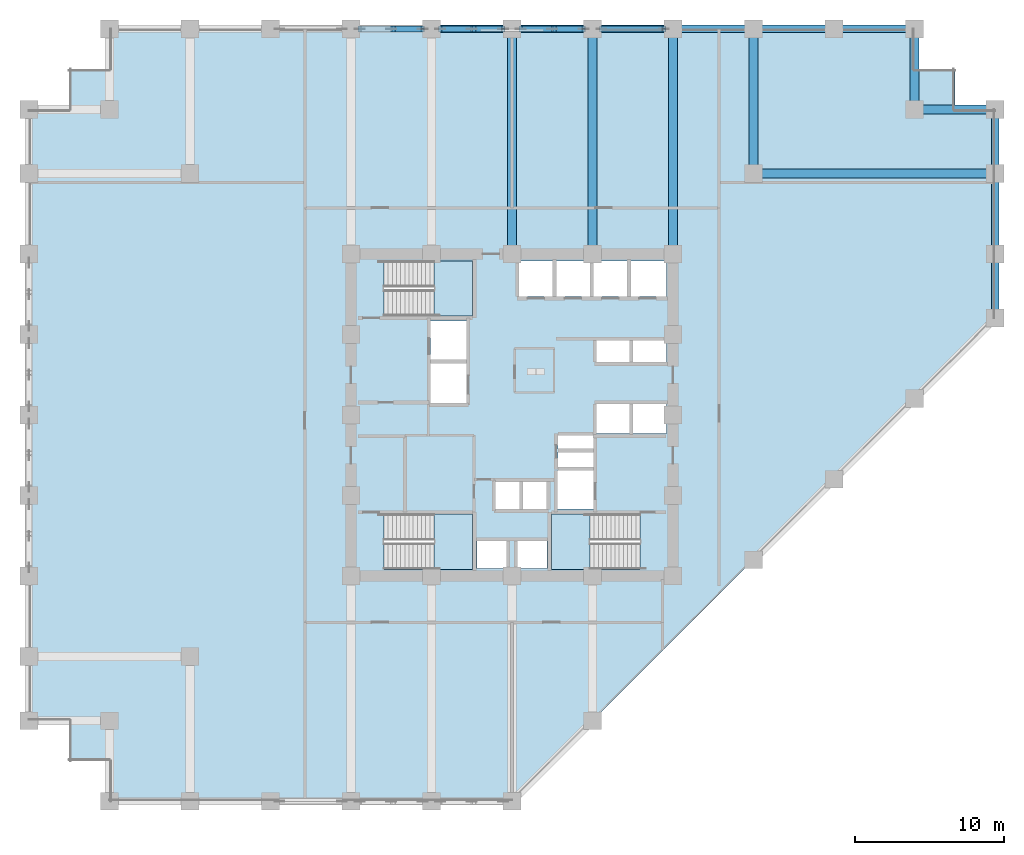
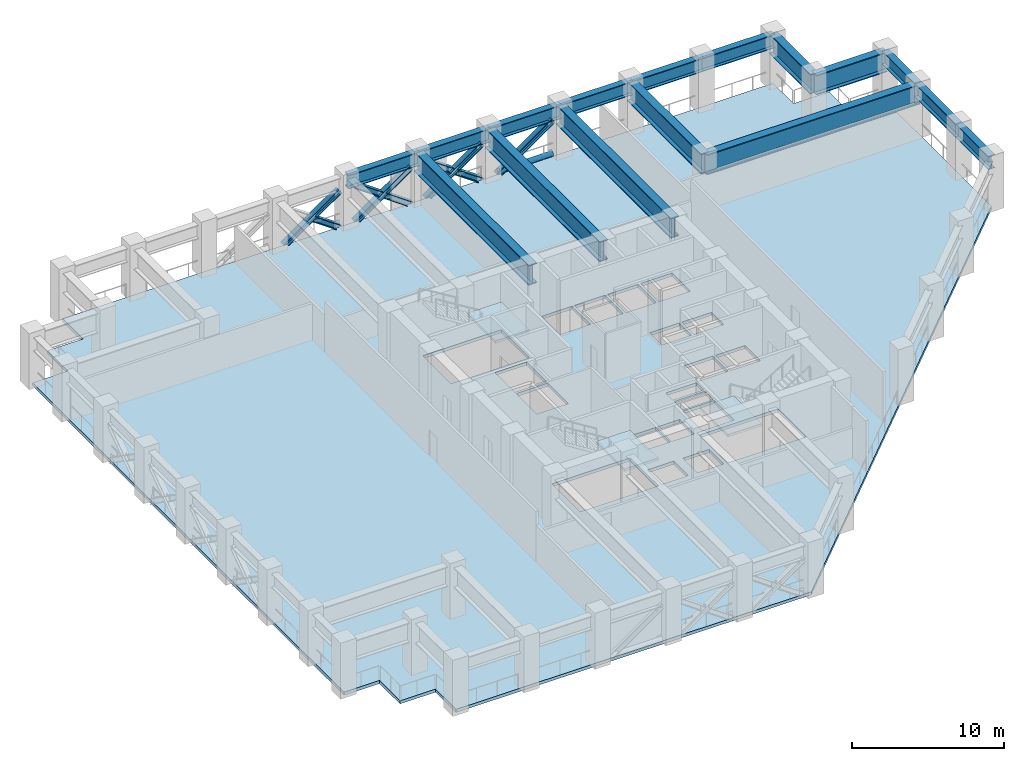
# One storey, part 2 of 12: 16 beams, 10 members, 4 slabs, 3 elements without a shape of their own.
"""IFC4 building model written with IfcOpenShell, lengths in metres."""

import ifcopenshell
import ifcopenshell.guid

model = None  # the IFC model being written
_history = None  # IfcOwnerHistory: only IFC2X3 demands one
_inside = {}  # id of a spatial element -> (the spatial element, [elements in it])
_under = {}  # id of a project, library or spatial element -> (it, [spatial elements below it])
_declared = {}  # id of a project -> (the project, [libraries it declares])
_typed = {}  # id of a type object -> (the type object, [elements of that type])
_made_of = {}  # id of a material, layer set ... -> (it, [elements and type objects made of it])


def new_model(schema):
    """Start an empty IFC model of exactly this schema.

    Asked for "IFC4X3", IfcOpenShell would pick the latest addendum, in which some entities
    have other attributes; the version numbers below select the first issue.
    IFC2X3 requires an IfcOwnerHistory on every rooted entity: one is made here for all.
    """
    global model, _history
    if schema == "IFC4X3":
        model = ifcopenshell.file(schema_version=(4, 3, 0, 0))
    else:
        model = ifcopenshell.file(schema=schema)
    _inside.clear()
    _under.clear()
    _declared.clear()
    _typed.clear()
    _made_of.clear()
    _history = None
    if model.schema == "IFC2X3":
        org = make("IfcOrganization", Name="unknown")
        user = make(
            "IfcPersonAndOrganization",
            ThePerson=make("IfcPerson", FamilyName="unknown"),
            TheOrganization=org,
        )
        app = make(
            "IfcApplication",
            ApplicationDeveloper=org,
            Version="unknown",
            ApplicationFullName="unknown",
            ApplicationIdentifier="unknown",
        )
        _history = make(
            "IfcOwnerHistory",
            OwningUser=user,
            OwningApplication=app,
            ChangeAction="ADDED",
            CreationDate=0,
        )
    return model


def make(cls, **values):
    """One entity of the class cls with the attributes given. An attribute that is None is left unset."""
    return model.create_entity(
        cls, **{name: value for name, value in values.items() if value is not None}
    )


def rooted(cls, **values):
    """An entity with a GlobalId (a new one), such as an element, a storey or a relation."""
    return make(cls, GlobalId=ifcopenshell.guid.new(), OwnerHistory=_history, **values)


def si_unit(unit_type, name, prefix=None):
    """IfcSIUnit, for example si_unit("LENGTHUNIT", "METRE", prefix="MILLI")."""
    return make("IfcSIUnit", UnitType=unit_type, Prefix=prefix, Name=name)


def assignment(units):
    """IfcUnitAssignment: the units of a project."""
    return None if units is None else make("IfcUnitAssignment", Units=units)


def point(xyz):
    """IfcCartesianPoint."""
    return None if xyz is None else make("IfcCartesianPoint", Coordinates=xyz)


def direction(xyz):
    """IfcDirection."""
    return None if xyz is None else make("IfcDirection", DirectionRatios=xyz)


def frame(location, z_axis=None, x_axis=None):
    """IfcAxis2Placement3D, a coordinate frame: its origin and axes. An axis left out is left unset."""
    return make(
        "IfcAxis2Placement3D",
        Location=point(location),
        Axis=direction(z_axis),
        RefDirection=direction(x_axis),
    )


def frame_2d(location, x_axis=None):
    """IfcAxis2Placement2D, a coordinate frame in the plane: its origin and x axis."""
    return make(
        "IfcAxis2Placement2D", Location=point(location), RefDirection=direction(x_axis)
    )


def origin():
    """The frame at (0, 0, 0) with its axes left unset."""
    return frame((0.0, 0.0, 0.0))


def origin_2d():
    """The frame at (0, 0) in the plane with its x axis left unset."""
    return frame_2d((0.0, 0.0))


def place(relative_to, where):
    """IfcLocalPlacement: puts the frame where relative to a parent placement (None: the world)."""
    return make(
        "IfcLocalPlacement", PlacementRelTo=relative_to, RelativePlacement=where
    )


def context(
    kind, dimensions, precision=None, world=None, true_north=None, identifier=None
):
    """IfcGeometricRepresentationContext, for example the 3D "Model" context."""
    return make(
        "IfcGeometricRepresentationContext",
        ContextIdentifier=identifier,
        ContextType=kind,
        CoordinateSpaceDimension=dimensions,
        Precision=precision,
        WorldCoordinateSystem=world,
        TrueNorth=true_north,
    )


def subcontext(parent, identifier, kind, view, scale=None):
    """IfcGeometricRepresentationSubContext, for example "Body" below "Model"."""
    return make(
        "IfcGeometricRepresentationSubContext",
        ContextIdentifier=identifier,
        ContextType=kind,
        ParentContext=parent,
        TargetScale=scale,
        TargetView=view,
    )


def project(units=None, contexts=None):
    """IfcProject with its units and contexts."""
    return rooted(
        "IfcProject",
        Name="project",
        RepresentationContexts=contexts,
        UnitsInContext=assignment(units),
    )


def spatial(cls, under=None, at=None, **own):
    """A site, building, storey or space (cls), placed at a placement, below another one or the project."""
    s = rooted(cls, ObjectPlacement=at, **own)
    if under is not None:
        _under.setdefault(under.id(), (under, []))[1].append(s)
    return s


def polyline(points):
    """IfcPolyline through the points."""
    return make("IfcPolyline", Points=[point(p) for p in points])


def profile(cls, at=None, kind="AREA", **sizes):
    """A parametric profile (cls). Its sizes go by their IFC names, for example OverallWidth=200.0."""
    return make(cls, ProfileType=kind, Position=at, **sizes)


def hollow_circle(**sizes):
    """IfcCircleHollowProfileDef."""
    return profile("IfcCircleHollowProfileDef", **sizes)


def i_section(**sizes):
    """IfcIShapeProfileDef."""
    return profile("IfcIShapeProfileDef", **sizes)


def outline(outer, holes=None, kind="AREA"):
    """IfcArbitraryClosedProfileDef: a profile drawn as a closed curve; with holes, ...WithVoids."""
    if holes is None:
        return make("IfcArbitraryClosedProfileDef", ProfileType=kind, OuterCurve=outer)
    return make(
        "IfcArbitraryProfileDefWithVoids",
        ProfileType=kind,
        OuterCurve=outer,
        InnerCurves=holes,
    )


def extrude(swept, where, along, depth):
    """IfcExtrudedAreaSolid: the profile swept, set in the frame where, extruded along a direction by depth."""
    return make(
        "IfcExtrudedAreaSolid",
        SweptArea=swept,
        Position=where,
        ExtrudedDirection=direction(along),
        Depth=depth,
    )


def shape(context_of_items, identifier, shape_type, items):
    """IfcShapeRepresentation: the items that make up one representation, for example the "Body"."""
    return make(
        "IfcShapeRepresentation",
        ContextOfItems=context_of_items,
        RepresentationIdentifier=identifier,
        RepresentationType=shape_type,
        Items=items,
    )


def material(Name=None, Category=None):
    """IfcMaterial."""
    return make("IfcMaterial", Name=Name, Category=Category)


def layer(
    of_material, thickness, ventilated=None, Name=None, Category=None, Priority=None
):
    """IfcMaterialLayer: one layer of a wall or slab, of a material (None: an air gap)."""
    return make(
        "IfcMaterialLayer",
        Material=of_material,
        LayerThickness=thickness,
        IsVentilated=ventilated,
        Name=Name,
        Category=Category,
        Priority=Priority,
    )


def layer_set(layers, Name=None):
    """IfcMaterialLayerSet."""
    return make("IfcMaterialLayerSet", MaterialLayers=layers, LayerSetName=Name)


def material_profile(
    of_material, cross_section, Name=None, Category=None, Priority=None
):
    """IfcMaterialProfile: a cross section and its material."""
    return make(
        "IfcMaterialProfile",
        Name=Name,
        Material=of_material,
        Profile=cross_section,
        Priority=Priority,
        Category=Category,
    )


def profile_set(profiles, Name=None, composite=None):
    """IfcMaterialProfileSet."""
    return make(
        "IfcMaterialProfileSet",
        Name=Name,
        MaterialProfiles=profiles,
        CompositeProfile=composite,
    )


def made_of(thing, what):
    """Note that an element or type object is made of a material, layer set ...; save() writes the relation."""
    if what is not None:
        _made_of.setdefault(what.id(), (what, []))[1].append(thing)
    return thing


def type_object(cls, material=None, **own):
    """A type object (cls), such as IfcWallType, which elements share."""
    return made_of(rooted(cls, **own), material)


def element(
    cls,
    number,
    at=None,
    inside=None,
    cuts=None,
    type_object=None,
    material=None,
    context=None,
    identifier="Body",
    shape_type=None,
    held_by="IfcProductDefinitionShape",
    body=None,
    shapes=None,
    **own,
):
    """One element of the class cls, such as IfcWall. Its Tag is "e" and its number.

    at: its placement. inside: the storey or other place that contains it. cuts: it is an
    opening in that element (IfcRelVoidsElement). A single representation is given by context,
    identifier, shape_type and body (its items); several are given by shapes. held_by: the class
    of the entity that holds the representations. save() writes the other relations.
    """
    e = rooted(cls, Tag="e%d" % number, ObjectPlacement=at, **own)
    if body is not None:
        shapes = [shape(context, identifier, shape_type, body)]
    if shapes is not None:
        e.Representation = make(held_by, Representations=shapes)
    if inside is not None:
        _inside.setdefault(inside.id(), (inside, []))[1].append(e)
    if cuts is not None:
        rooted(
            "IfcRelVoidsElement", RelatingBuildingElement=cuts, RelatedOpeningElement=e
        )
    if type_object is not None:
        _typed.setdefault(type_object.id(), (type_object, []))[1].append(e)
    return made_of(e, material)


def aggregate(whole, parts):
    """IfcRelAggregates: a whole, such as a stair, and the parts it consists of."""
    return rooted("IfcRelAggregates", RelatingObject=whole, RelatedObjects=parts)


def save(model, path):
    """Write the relations noted so far, then the file.

    IfcRelAggregates (storeys below a building ...), IfcRelContainedInSpatialStructure (elements
    in a storey), IfcRelDefinesByType, IfcRelAssociatesMaterial and IfcRelDeclares: one each for
    every whole, place, type object, material and project.
    """
    for whole, parts in _under.values():
        aggregate(whole, parts)
    for where, things in _inside.values():
        rooted(
            "IfcRelContainedInSpatialStructure",
            RelatedElements=things,
            RelatingStructure=where,
        )
    for kind, things in _typed.values():
        rooted("IfcRelDefinesByType", RelatedObjects=things, RelatingType=kind)
    for what, things in _made_of.values():
        rooted("IfcRelAssociatesMaterial", RelatedObjects=things, RelatingMaterial=what)
    for by, libraries in _declared.values():
        rooted("IfcRelDeclares", RelatingContext=by, RelatedDefinitions=libraries)
    model.write(path)


model = new_model("IFC4")

# Units and contexts
model_context = context("Model", 3, precision=1e-05, world=origin(), true_north=direction((0.0, 1.0)))
body_context = subcontext(model_context, "Body", "Model", "MODEL_VIEW")
ifc_project = project(units=[si_unit("LENGTHUNIT", "METRE"), si_unit("AREAUNIT", "SQUARE_METRE"), si_unit("VOLUMEUNIT", "CUBIC_METRE"), si_unit("PLANEANGLEUNIT", "RADIAN"), si_unit("MASSUNIT", "GRAM", prefix="KILO")], contexts=[model_context])

# Site, building, storey
site_placement = place(None, origin())
site = spatial("IfcSite", under=ifc_project, at=site_placement, CompositionType="ELEMENT")
building_placement = place(site_placement, origin())
building = spatial("IfcBuilding", under=site, at=building_placement, Name="Surkhivell Harbour Commons", CompositionType="ELEMENT")
storey_placement = place(building_placement, frame((0.0, 0.0, 78.75)))
storey = spatial("IfcBuildingStorey", under=building, at=storey_placement, Name="L20", CompositionType="ELEMENT", Elevation=78.75)

# Beams
ifc_material_1 = material(Name="Steel S460", Category="steel")
ifc_material_profile_1 = material_profile(ifc_material_1, i_section(OverallWidth=0.5, OverallDepth=1.10009765625, WebThickness=0.028076171875, FlangeThickness=0.054931640625, at=origin_2d()), Name="WPG1100x500x210")
ifc_profile_set_1 = profile_set([ifc_material_profile_1], Name="Steel S460")
beam_type_1 = type_object("IfcBeamType", Name="BM-BLT-1100", PredefinedType="BEAM", material=ifc_profile_set_1)
for number, where, z_axis, x_axis, name in (
    (1, (-5.39990234375, 25.89990234375, 3.530029296875), (1.0, 0.0, 0.0), (0.0, 1.0, 0.0), "L20 Tube Spandrel (-5.4,25.9)"),
    (2, (0.0, 25.89990234375, 3.530029296875), (1.0, 0.0, 0.0), (0.0, 1.0, 0.0), "L20 Tube Spandrel (-0.0,25.9)"),
):
    element("IfcBeam", number, at=place(storey_placement, frame(where, z_axis=z_axis, x_axis=x_axis)), inside=storey, type_object=beam_type_1, Name=name, PredefinedType="BEAM", context=body_context, shape_type="SweptSolid", body=[
        extrude(i_section(OverallWidth=0.5, OverallDepth=1.10009765625, WebThickness=0.028076171875, FlangeThickness=0.054931640625, at=origin_2d()), origin(), (0.0, 0.0, 1.0), 5.39990234375),
    ])
beam_1_placement = place(storey_placement, frame((5.39990234375, 25.89990234375, 3.530029296875), z_axis=(1.0, 0.0, 0.0), x_axis=(0.0, 1.0, 0.0)))
element("IfcBeam", 3, at=beam_1_placement, inside=storey, type_object=beam_type_1, Name="L20 Tube Spandrel (5.4,25.9)", PredefinedType="BEAM", context=body_context, shape_type="SweptSolid", body=[
    extrude(i_section(OverallWidth=0.5, OverallDepth=1.10009765625, WebThickness=0.028076171875, FlangeThickness=0.054931640625, at=origin_2d()), origin(), (0.0, 0.0, 1.0), 5.400146484375),
])
beam_2_placement = place(storey_placement, frame((10.800048828125, 25.89990234375, 3.530029296875), z_axis=(1.0, 0.0, 0.0), x_axis=(0.0, 1.0, 0.0)))
element("IfcBeam", 4, at=beam_2_placement, inside=storey, type_object=beam_type_1, Name="L20 Tube Spandrel (10.8,25.9)", PredefinedType="BEAM", context=body_context, shape_type="SweptSolid", body=[
    extrude(i_section(OverallWidth=0.5, OverallDepth=1.10009765625, WebThickness=0.028076171875, FlangeThickness=0.054931640625, at=origin_2d()), origin(), (0.0, 0.0, 1.0), 5.39990234375),
])
beam_3_placement = place(storey_placement, frame((16.199951171875, 25.89990234375, 3.530029296875), z_axis=(1.0, 0.0, 0.0), x_axis=(0.0, 1.0, 0.0)))
element("IfcBeam", 5, at=beam_3_placement, inside=storey, type_object=beam_type_1, Name="L20 Tube Spandrel (16.2,25.9)", PredefinedType="BEAM", context=body_context, shape_type="SweptSolid", body=[
    extrude(i_section(OverallWidth=0.5, OverallDepth=1.10009765625, WebThickness=0.028076171875, FlangeThickness=0.054931640625, at=origin_2d()), origin(), (0.0, 0.0, 1.0), 5.400146484375),
])
beam_4_placement = place(storey_placement, frame((21.60009765625, 25.89990234375, 3.530029296875), z_axis=(1.0, 0.0, 0.0), x_axis=(0.0, 1.0, 0.0)))
element("IfcBeam", 6, at=beam_4_placement, inside=storey, type_object=beam_type_1, Name="L20 Tube Spandrel (21.6,25.9)", PredefinedType="BEAM", context=body_context, shape_type="SweptSolid", body=[
    extrude(i_section(OverallWidth=0.5, OverallDepth=1.10009765625, WebThickness=0.028076171875, FlangeThickness=0.054931640625, at=origin_2d()), origin(), (0.0, 0.0, 1.0), 5.39990234375),
])
beam_5_placement = place(storey_placement, frame((32.39990234375, 6.5, 3.530029296875), z_axis=(0.0, 1.0, 0.0), x_axis=(-1.0, 0.0, 0.0)))
element("IfcBeam", 7, at=beam_5_placement, inside=storey, type_object=beam_type_1, Name="L20 Tube Spandrel (32.4,6.5)", PredefinedType="BEAM", context=body_context, shape_type="SweptSolid", body=[
    extrude(i_section(OverallWidth=0.5, OverallDepth=1.10009765625, WebThickness=0.028076171875, FlangeThickness=0.054931640625, at=origin_2d()), origin(), (0.0, 0.0, 1.0), 4.300048828125),
])
beam_6_placement = place(storey_placement, frame((32.39990234375, 10.800048828125, 3.530029296875), z_axis=(0.0, 1.0, 0.0), x_axis=(-1.0, 0.0, 0.0)))
element("IfcBeam", 8, at=beam_6_placement, inside=storey, type_object=beam_type_1, Name="L20 Tube Spandrel (32.4,10.8)", PredefinedType="BEAM", context=body_context, shape_type="SweptSolid", body=[
    extrude(i_section(OverallWidth=0.5, OverallDepth=1.10009765625, WebThickness=0.028076171875, FlangeThickness=0.054931640625, at=origin_2d()), origin(), (0.0, 0.0, 1.0), 5.39990234375),
])
beam_7_placement = place(storey_placement, frame((32.39990234375, 16.199951171875, 3.530029296875), z_axis=(0.0, 1.0, 0.0), x_axis=(-1.0, 0.0, 0.0)))
element("IfcBeam", 9, at=beam_7_placement, inside=storey, type_object=beam_type_1, Name="L20 Tube Spandrel (32.4,16.2)", PredefinedType="BEAM", context=body_context, shape_type="SweptSolid", body=[
    extrude(i_section(OverallWidth=0.5, OverallDepth=1.10009765625, WebThickness=0.028076171875, FlangeThickness=0.054931640625, at=origin_2d()), origin(), (0.0, 0.0, 1.0), 4.300048828125),
])
ifc_material_profile_2 = material_profile(ifc_material_1, i_section(OverallWidth=0.60009765625, OverallDepth=1.60009765625, WebThickness=0.035888671875, FlangeThickness=0.06494140625, at=origin_2d()), Name="WPG1600x600x296")
ifc_profile_set_2 = profile_set([ifc_material_profile_2], Name="Steel S460")
beam_type_2 = type_object("IfcBeamType", Name="BM-TRF-1600", PredefinedType="BEAM", material=ifc_profile_set_2)
for number, where, z_axis, x_axis, name in (
    (10, (0.0, 10.800048828125, 3.280029296875), (0.0, 1.0, 0.0), (-1.0, 0.0, 0.0), "L20 Floor Girder (0.0,10.8)"),
    (11, (5.39990234375, 10.800048828125, 3.280029296875), (0.0, 1.0, 0.0), (-1.0, 0.0, 0.0), "L20 Floor Girder (5.4,10.8)"),
    (12, (10.800048828125, 10.800048828125, 3.280029296875), (0.0, 1.0, 0.0), (-1.0, 0.0, 0.0), "L20 Floor Girder (10.8,10.8)"),
):
    element("IfcBeam", number, at=place(storey_placement, frame(where, z_axis=z_axis, x_axis=x_axis)), inside=storey, type_object=beam_type_2, Name=name, PredefinedType="BEAM", context=body_context, shape_type="SweptSolid", body=[
        extrude(i_section(OverallWidth=0.60009765625, OverallDepth=1.60009765625, WebThickness=0.035888671875, FlangeThickness=0.06494140625, at=origin_2d()), origin(), (0.0, 0.0, 1.0), 15.099853515625),
    ])
beam_8_placement = place(storey_placement, frame((16.199951171875, 16.199951171875, 3.280029296875), z_axis=(0.0, 1.0, 0.0), x_axis=(-1.0, 0.0, 0.0)))
element("IfcBeam", 13, at=beam_8_placement, inside=storey, type_object=beam_type_2, Name="L20 Floor Girder (16.2,16.2)", PredefinedType="BEAM", context=body_context, shape_type="SweptSolid", body=[
    extrude(i_section(OverallWidth=0.60009765625, OverallDepth=1.60009765625, WebThickness=0.035888671875, FlangeThickness=0.06494140625, at=origin_2d()), origin(), (0.0, 0.0, 1.0), 9.699951171875),
])
beam_9_placement = place(storey_placement, frame((16.199951171875, 16.199951171875, 3.280029296875), z_axis=(1.0, 0.0, 0.0), x_axis=(0.0, 1.0, 0.0)))
element("IfcBeam", 14, at=beam_9_placement, inside=storey, type_object=beam_type_2, Name="L20 Floor Girder (16.2,16.2)", PredefinedType="BEAM", context=body_context, shape_type="SweptSolid", body=[
    extrude(i_section(OverallWidth=0.60009765625, OverallDepth=1.60009765625, WebThickness=0.035888671875, FlangeThickness=0.06494140625, at=origin_2d()), origin(), (0.0, 0.0, 1.0), 16.199951171875),
])
for number, where, z_axis, x_axis, name in (
    (15, (27.0, 20.5, 3.280029296875), (0.0, 1.0, 0.0), (-1.0, 0.0, 0.0), "L20 Floor Girder (27.0,20.5)"),
    (16, (27.0, 20.5, 3.280029296875), (1.0, 0.0, 0.0), (0.0, 1.0, 0.0), "L20 Floor Girder (27.0,20.5)"),
):
    element("IfcBeam", number, at=place(storey_placement, frame(where, z_axis=z_axis, x_axis=x_axis)), inside=storey, type_object=beam_type_2, Name=name, PredefinedType="BEAM", context=body_context, shape_type="SweptSolid", body=[
        extrude(i_section(OverallWidth=0.60009765625, OverallDepth=1.60009765625, WebThickness=0.035888671875, FlangeThickness=0.06494140625, at=origin_2d()), origin(), (0.0, 0.0, 1.0), 5.39990234375),
    ])

# Members
ifc_material_profile_3 = material_profile(ifc_material_1, i_section(OverallWidth=0.406005859375, OverallDepth=0.416015625, WebThickness=0.026611328125, FlangeThickness=0.0390625, at=origin_2d()), Name="HD400x382")
ifc_profile_set_3 = profile_set([ifc_material_profile_3], Name="Steel S460")
member_type_1 = type_object("IfcMemberType", Name="MEM-BLT-BT1", PredefinedType="BRACE", material=ifc_profile_set_3)
member_1_placement = place(storey_placement, frame((-4.81494140625, 25.89990234375, 0.008056640625), z_axis=(0.817881291451, 0.0, 0.575386994199), x_axis=(0.0, 1.0, 0.0)))
element("IfcMember", 17, at=member_1_placement, inside=storey, type_object=member_type_1, Name="L20 Belt-Truss Diagonal BT- 07", PredefinedType="BRACE", context=body_context, shape_type="SweptSolid", body=[
    extrude(i_section(OverallWidth=0.406005859375, OverallDepth=0.416015625, WebThickness=0.026611328125, FlangeThickness=0.0390625, at=origin_2d()), origin(), (0.0, 0.0, 1.0), 5.171875),
])
for number, where, z_axis, x_axis, name in (
    (18, (-0.5849609375, 25.89990234375, 0.008056640625), (-0.817874182939, 0.0, 0.57539709843), (0.0, -1.0, 0.0), "L20 Belt-Truss Diagonal BT- 08"),
    (19, (-2.86328125, 25.89990234375, 1.61083984375), (-0.817874182939, 0.0, 0.57539709843), (0.0, -1.0, 0.0), "L20 Belt-Truss Diagonal BT- 09"),
):
    element("IfcMember", number, at=place(storey_placement, frame(where, z_axis=z_axis, x_axis=x_axis)), inside=storey, type_object=member_type_1, Name=name, PredefinedType="BRACE", context=body_context, shape_type="SweptSolid", body=[
        extrude(i_section(OverallWidth=0.406005859375, OverallDepth=0.416015625, WebThickness=0.026611328125, FlangeThickness=0.0390625, at=origin_2d()), origin(), (0.0, 0.0, 1.0), 2.38623046875),
    ])
member_2_placement = place(storey_placement, frame((0.5849609375, 25.89990234375, 0.008056640625), z_axis=(0.817881291451, 0.0, 0.575386994199), x_axis=(0.0, 1.0, 0.0)))
element("IfcMember", 20, at=member_2_placement, inside=storey, type_object=member_type_1, Name="L20 Belt-Truss Diagonal BT- 10", PredefinedType="BRACE", context=body_context, shape_type="SweptSolid", body=[
    extrude(i_section(OverallWidth=0.406005859375, OverallDepth=0.416015625, WebThickness=0.026611328125, FlangeThickness=0.0390625, at=origin_2d()), origin(), (0.0, 0.0, 1.0), 5.171875),
])
for number, where, z_axis, x_axis, name in (
    (21, (4.81494140625, 25.89990234375, 0.008056640625), (-0.817874182939, 0.0, 0.57539709843), (0.0, -1.0, 0.0), "L20 Belt-Truss Diagonal BT- 11"),
    (22, (2.53662109375, 25.89990234375, 1.61083984375), (-0.817874182939, 0.0, 0.57539709843), (0.0, -1.0, 0.0), "L20 Belt-Truss Diagonal BT- 12"),
):
    element("IfcMember", number, at=place(storey_placement, frame(where, z_axis=z_axis, x_axis=x_axis)), inside=storey, type_object=member_type_1, Name=name, PredefinedType="BRACE", context=body_context, shape_type="SweptSolid", body=[
        extrude(i_section(OverallWidth=0.406005859375, OverallDepth=0.416015625, WebThickness=0.026611328125, FlangeThickness=0.0390625, at=origin_2d()), origin(), (0.0, 0.0, 1.0), 2.38623046875),
    ])
member_3_placement = place(storey_placement, frame((-10.215087890625, 25.89990234375, 0.008056640625), z_axis=(0.817881291451, 0.0, 0.575386994199), x_axis=(0.0, 1.0, 0.0)))
element("IfcMember", 23, at=member_3_placement, inside=storey, type_object=member_type_1, Name="L20 Belt-Truss Diagonal BT- 19", PredefinedType="BRACE", context=body_context, shape_type="SweptSolid", body=[
    extrude(i_section(OverallWidth=0.406005859375, OverallDepth=0.416015625, WebThickness=0.026611328125, FlangeThickness=0.0390625, at=origin_2d()), origin(), (0.0, 0.0, 1.0), 5.171875),
])
member_4_placement = place(storey_placement, frame((-5.985107421875, 25.89990234375, 0.008056640625), z_axis=(-0.817874182939, 0.0, 0.57539709843), x_axis=(0.0, -1.0, 0.0)))
element("IfcMember", 24, at=member_4_placement, inside=storey, type_object=member_type_1, Name="L20 Belt-Truss Diagonal BT- 20", PredefinedType="BRACE", context=body_context, shape_type="SweptSolid", body=[
    extrude(i_section(OverallWidth=0.406005859375, OverallDepth=0.416015625, WebThickness=0.026611328125, FlangeThickness=0.0390625, at=origin_2d()), origin(), (0.0, 0.0, 1.0), 2.38623046875),
])
ifc_material_profile_4 = material_profile(ifc_material_1, hollow_circle(Radius=0.203125, WallThickness=0.02001953125, at=origin_2d()), Name="CHS406x20")
ifc_profile_set_4 = profile_set([ifc_material_profile_4], Name="Steel S460")
member_type_2 = type_object("IfcMemberType", Name="MEM-CHD-CHS406", PredefinedType="CHORD", material=ifc_profile_set_4)
member_5_placement = place(storey_placement, frame((5.998046875, 25.89990234375, 0.22998046875), z_axis=(1.0, 0.0, 0.0), x_axis=(0.0, 1.0, 0.0)))
element("IfcMember", 25, at=member_5_placement, inside=storey, type_object=member_type_2, Name="L20 Outrigger Bottom Chord OC-04", PredefinedType="CHORD", context=body_context, shape_type="SweptSolid", body=[
    extrude(hollow_circle(Radius=0.203125, WallThickness=0.02001953125, at=origin_2d()), origin(), (0.0, 0.0, 1.0), 4.203857421875),
])
ifc_material_profile_5 = material_profile(ifc_material_1, i_section(OverallWidth=0.41796875, OverallDepth=0.455078125, WebThickness=0.03759765625, FlangeThickness=0.055908203125, at=origin_2d()), Name="HD400x551")
ifc_profile_set_5 = profile_set([ifc_material_profile_5], Name="Steel S460")
member_type_3 = type_object("IfcMemberType", Name="MEM-OUT-OT1", PredefinedType="BRACE", material=ifc_profile_set_5)
member_6_placement = place(storey_placement, frame((5.998046875, 25.89990234375, 0.010009765625), z_axis=(0.816176296537, 0.0, 0.577802953411), x_axis=(0.0, 1.0, 0.0)))
element("IfcMember", 26, at=member_6_placement, inside=storey, type_object=member_type_3, Name="L20 Outrigger Truss Diagonal OT-03", PredefinedType="BRACE", context=body_context, shape_type="SweptSolid", body=[
    extrude(i_section(OverallWidth=0.41796875, OverallDepth=0.455078125, WebThickness=0.03759765625, FlangeThickness=0.055908203125, at=origin_2d()), origin(), (0.0, 0.0, 1.0), 5.150634765625),
])

# Slab
ifc_material_2 = material(Name="Concrete C50/60", Category="concrete")
ifc_layer_1 = layer(ifc_material_2, 0.25)
ifc_layer_set_1 = layer_set([ifc_layer_1], Name="Concrete C50/60")
slab_type_1 = type_object("IfcSlabType", Name="SLB-POD-250", PredefinedType="FLOOR", material=ifc_layer_set_1)
slab_1_placement = place(storey_placement, frame((0.0, 0.0, -0.25)))
element("IfcSlab", 27, at=slab_1_placement, inside=storey, type_object=slab_type_1, Name="L20 Structural Floor Slab", PredefinedType="FLOOR", context=body_context, shape_type="SweptSolid", body=[
    extrude(outline(polyline([(-27.0, -25.89990234375), (0.0, -25.89990234375), (32.39990234375, 6.5), (32.39990234375, 20.5), (29.699951171875, 20.5), (29.699951171875, 23.199951171875), (27.0, 23.199951171875), (27.0, 25.89990234375), (-27.0, 25.89990234375), (-27.0, 23.199951171875), (-29.699951171875, 23.199951171875), (-29.699951171875, 20.5), (-32.39990234375, 20.5), (-32.39990234375, -20.5), (-29.699951171875, -20.5), (-29.699951171875, -23.199951171875), (-27.0, -23.199951171875), (-27.0, -25.89990234375)]), holes=[polyline([(-8.590087890625, 6.639892578125), (-2.639892578125, 6.639892578125), (-2.639892578125, 10.340087890625), (-8.590087890625, 10.340087890625), (-8.590087890625, 6.639892578125)]), polyline([(8.590087890625, -6.639892578125), (2.639892578125, -6.639892578125), (2.639892578125, -10.340087890625), (8.590087890625, -10.340087890625), (8.590087890625, -6.639892578125)]), polyline([(-8.590087890625, -10.340087890625), (-2.639892578125, -10.340087890625), (-2.639892578125, -6.639892578125), (-8.590087890625, -6.639892578125), (-8.590087890625, -10.340087890625)]), polyline([(0.449951171875, 7.949951171875), (2.75, 7.949951171875), (2.75, 10.35009765625), (0.449951171875, 10.35009765625), (0.449951171875, 7.949951171875)]), polyline([(2.949951171875, 7.949951171875), (5.25, 7.949951171875), (5.25, 10.35009765625), (2.949951171875, 10.35009765625), (2.949951171875, 7.949951171875)]), polyline([(5.449951171875, 7.949951171875), (7.75, 7.949951171875), (7.75, 10.35009765625), (5.449951171875, 10.35009765625), (5.449951171875, 7.949951171875)]), polyline([(7.949951171875, 7.949951171875), (10.35009765625, 7.949951171875), (10.35009765625, 10.35009765625), (7.949951171875, 10.35009765625), (7.949951171875, 7.949951171875)]), polyline([(5.64990234375, 3.550048828125), (7.89990234375, 3.550048828125), (7.89990234375, 5.14990234375), (5.64990234375, 5.14990234375), (5.64990234375, 3.550048828125)]), polyline([(8.10009765625, 3.550048828125), (10.35009765625, 3.550048828125), (10.35009765625, 5.14990234375), (8.10009765625, 5.14990234375), (8.10009765625, 3.550048828125)]), polyline([(5.64990234375, -1.25), (7.89990234375, -1.25), (7.89990234375, 0.75), (5.64990234375, 0.75), (5.64990234375, -1.25)]), polyline([(8.10009765625, -1.25), (10.35009765625, -1.25), (10.35009765625, 0.75), (8.10009765625, 0.75), (8.10009765625, -1.25)]), polyline([(-1.14990234375, -6.35009765625), (0.550048828125, -6.35009765625), (0.550048828125, -4.449951171875), (-1.14990234375, -4.449951171875), (-1.14990234375, -6.35009765625)]), polyline([(0.679931640625, -6.35009765625), (2.3798828125, -6.35009765625), (2.3798828125, -4.449951171875), (0.679931640625, -4.449951171875), (0.679931640625, -6.35009765625)]), polyline([(-2.35009765625, -10.300048828125), (-0.35009765625, -10.300048828125), (-0.35009765625, -8.39990234375), (-2.35009765625, -8.39990234375), (-2.35009765625, -10.300048828125)]), polyline([(0.35009765625, -10.300048828125), (2.35009765625, -10.300048828125), (2.35009765625, -8.39990234375), (0.35009765625, -8.39990234375), (0.35009765625, -10.300048828125)]), polyline([(-5.449951171875, 3.699951171875), (-3.050048828125, 3.699951171875), (-3.050048828125, 6.300048828125), (-5.449951171875, 6.300048828125), (-5.449951171875, 3.699951171875)]), polyline([(3.050048828125, -6.300048828125), (5.449951171875, -6.300048828125), (5.449951171875, -3.699951171875), (3.050048828125, -3.699951171875), (3.050048828125, -6.300048828125)]), polyline([(-5.449951171875, 0.800048828125), (-3.050048828125, 0.800048828125), (-3.050048828125, 3.5), (-5.449951171875, 3.5), (-5.449951171875, 0.800048828125)]), polyline([(3.10009765625, -3.550048828125), (5.449951171875, -3.550048828125), (5.449951171875, -2.47998046875), (3.10009765625, -2.47998046875), (3.10009765625, -3.550048828125)]), polyline([(3.10009765625, -2.280029296875), (5.449951171875, -2.280029296875), (5.449951171875, -1.35009765625), (3.10009765625, -1.35009765625), (3.10009765625, -2.280029296875)])]), origin(), (0.0, 0.0, 1.0), 0.25),
])

# Stair, slab
ifc_material_3 = material(Name="Precast concrete C45/55", Category="concrete")
stair_type = type_object("IfcStairType", Name="STR-DL-450", PredefinedType="HALF_TURN_STAIR", material=ifc_material_3)
stair_1_placement = place(storey_placement, origin())
stair_1 = element("IfcStair", 28, at=stair_1_placement, inside=storey, type_object=stair_type, Name="L20 Core Exit Stair ST1", PredefinedType="HALF_TURN_STAIR")
ifc_material_4 = material(Name="Reinforced concrete C45/55", Category="concrete")
ifc_layer_2 = layer(ifc_material_4, 0.199951171875)
ifc_layer_set_2 = layer_set([ifc_layer_2], Name="Reinforced concrete C45/55")
slab_type_2 = type_object("IfcSlabType", Name="SLB-ST-LND200", PredefinedType="LANDING", material=ifc_layer_set_2)
slab_2_placement = place(storey_placement, frame((0.0, 0.0, 2.050048828125)))
slab_2 = element("IfcSlab", 29, at=slab_2_placement, type_object=slab_type_2, Name="ST1 landing 1", PredefinedType="LANDING", context=body_context, shape_type="SweptSolid", body=[
    extrude(outline(polyline([(-5.22998046875, 6.639892578125), (-2.639892578125, 6.639892578125), (-2.639892578125, 10.340087890625), (-5.22998046875, 10.340087890625), (-5.22998046875, 6.639892578125)])), origin(), (0.0, 0.0, 1.0), 0.199951171875),
])
aggregate(stair_1, [slab_2])

stair_2_placement = place(storey_placement, origin())
stair_2 = element("IfcStair", 30, at=stair_2_placement, inside=storey, type_object=stair_type, Name="L20 Core Exit Stair ST2", PredefinedType="HALF_TURN_STAIR")
slab_3_placement = place(storey_placement, frame((0.0, 0.0, 2.050048828125)))
slab_3 = element("IfcSlab", 31, at=slab_3_placement, type_object=slab_type_2, Name="ST2 landing 1", PredefinedType="LANDING", context=body_context, shape_type="SweptSolid", body=[
    extrude(outline(polyline([(5.22998046875, -6.639892578125), (2.639892578125, -6.639892578125), (2.639892578125, -10.340087890625), (5.22998046875, -10.340087890625), (5.22998046875, -6.639892578125)])), origin(), (0.0, 0.0, 1.0), 0.199951171875),
])
aggregate(stair_2, [slab_3])

stair_3_placement = place(storey_placement, origin())
stair_3 = element("IfcStair", 32, at=stair_3_placement, inside=storey, type_object=stair_type, Name="L20 Core Exit Stair ST3", PredefinedType="HALF_TURN_STAIR")
slab_4_placement = place(storey_placement, frame((0.0, 0.0, 2.050048828125)))
slab_4 = element("IfcSlab", 33, at=slab_4_placement, type_object=slab_type_2, Name="ST3 landing 1", PredefinedType="LANDING", context=body_context, shape_type="SweptSolid", body=[
    extrude(outline(polyline([(-5.22998046875, -10.340087890625), (-2.639892578125, -10.340087890625), (-2.639892578125, -6.639892578125), (-5.22998046875, -6.639892578125), (-5.22998046875, -10.340087890625)])), origin(), (0.0, 0.0, 1.0), 0.199951171875),
])
aggregate(stair_3, [slab_4])

save(model, "model.ifc")
